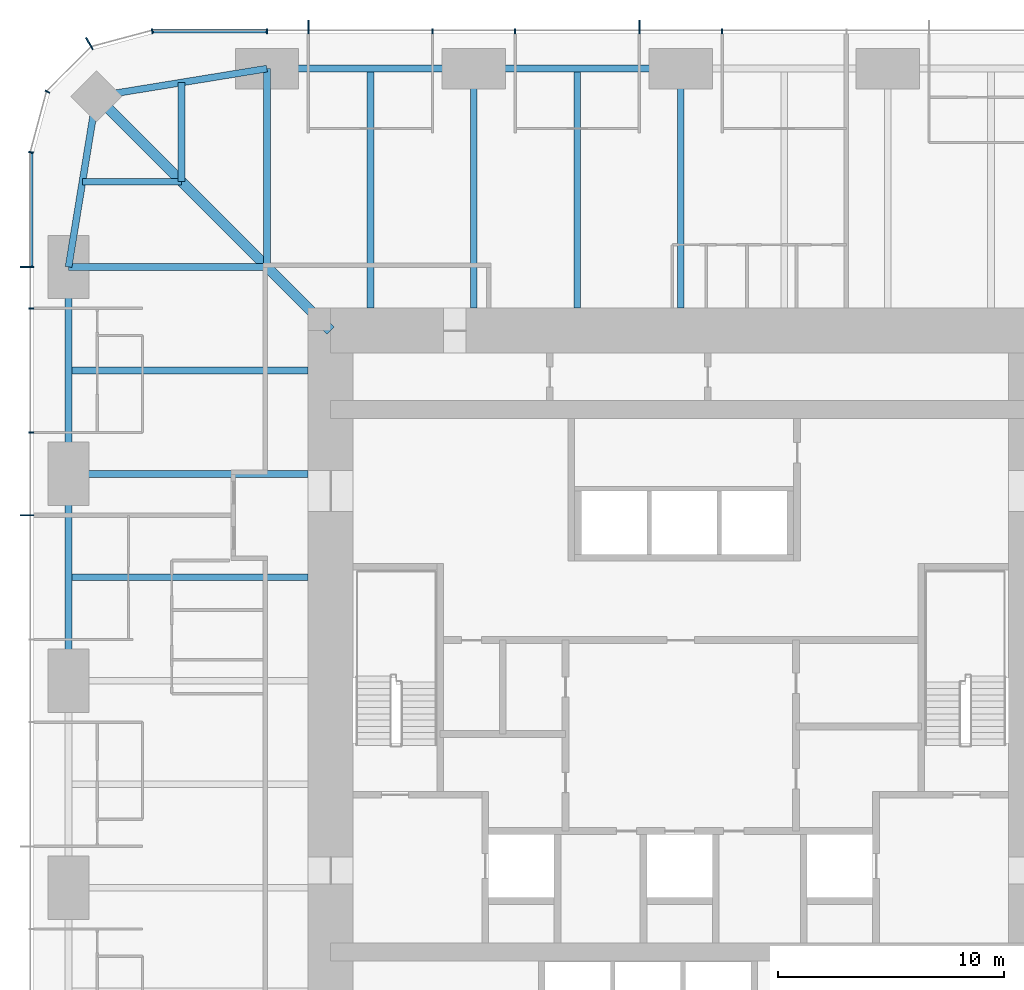
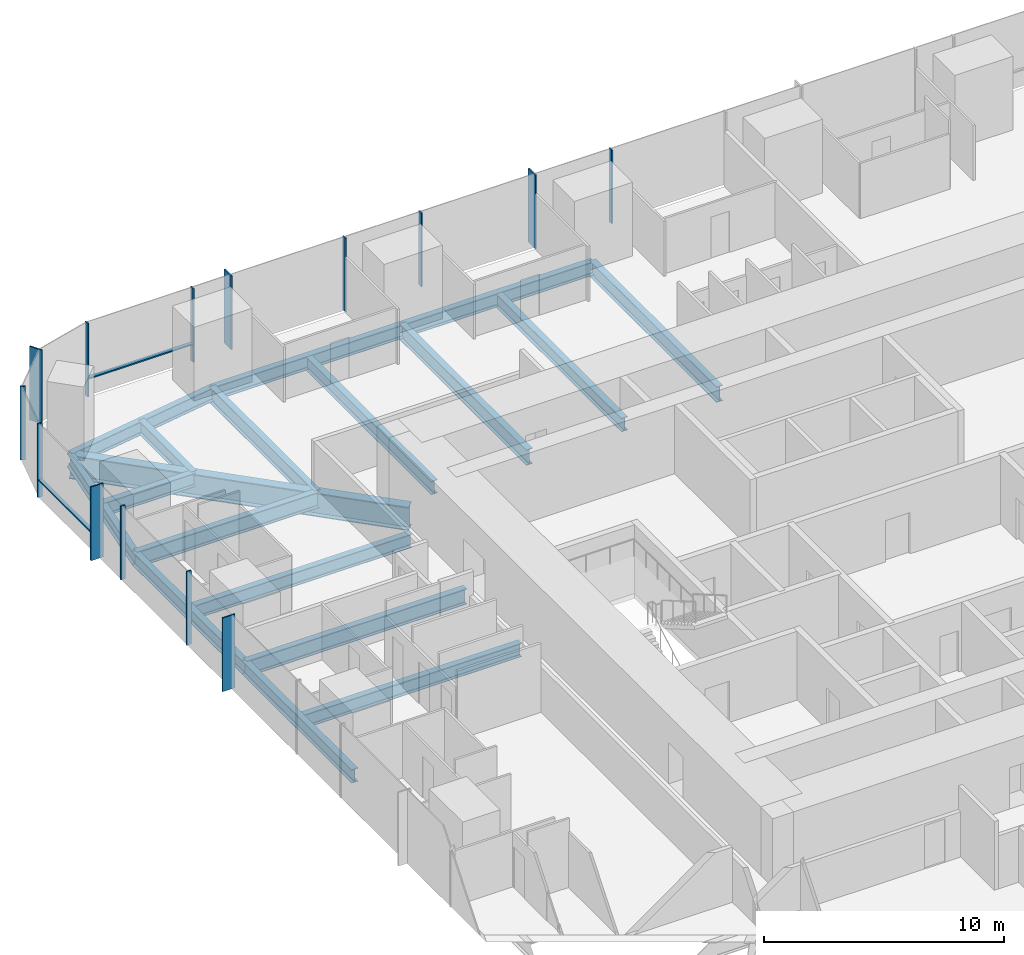
# One storey, part 5 of 13: 18 beams, 16 members, 3 elements without a shape of their own.
"""IFC4 building model written with IfcOpenShell, lengths in metres."""

from ifc_helpers import new_model, si_unit, direction, frame, origin, origin_2d, place, context, subcontext, project, spatial, rectangle, i_section, extrude, material, material_profile, profile_set, type_object, element, aggregate, save


model = new_model("IFC4")

# Units and contexts
model_context = context("Model", 3, precision=1e-05, world=origin(), true_north=direction((0.0, 1.0)))
body_context = subcontext(model_context, "Body", "Model", "MODEL_VIEW")
ifc_project = project(units=[si_unit("LENGTHUNIT", "METRE"), si_unit("AREAUNIT", "SQUARE_METRE"), si_unit("VOLUMEUNIT", "CUBIC_METRE"), si_unit("PLANEANGLEUNIT", "RADIAN"), si_unit("MASSUNIT", "GRAM", prefix="KILO")], contexts=[model_context])

# Site, building, storey
site_placement = place(None, origin())
site = spatial("IfcSite", under=ifc_project, at=site_placement, CompositionType="ELEMENT")
building_placement = place(site_placement, origin())
building = spatial("IfcBuilding", under=site, at=building_placement, Name="Khuree Lantern Residences", CompositionType="ELEMENT")
storey_placement = place(building_placement, frame((0.0, 0.0, 148.5)))
storey = spatial("IfcBuildingStorey", under=building, at=storey_placement, Name="L37", CompositionType="ELEMENT", Elevation=148.5)

# Beams
ifc_material_1 = material(Name="Steel S355", Category="steel")
ifc_material_profile_1 = material_profile(ifc_material_1, i_section(OverallWidth=0.300048828125, OverallDepth=0.68994140625, WebThickness=0.014404296875, FlangeThickness=0.027099609375, FilletRadius=0.027099609375, at=origin_2d()), Name="HE 700 A")
ifc_profile_set_1 = profile_set([ifc_material_profile_1], Name="Steel S355")
beam_type_1 = type_object("IfcBeamType", Name="B-23 SECONDARY BEAM HE 700 A", PredefinedType="BEAM", material=ifc_profile_set_1)
for number, where, z_axis, x_axis, name in (
    (1, (-13.739990234375, 27.10009765625, -0.594970703125), (0.0, -1.0, 0.0), (1.0, 0.0, 0.0), "Secondary beam N1"),
    (2, (-4.580078125, 27.10009765625, -0.594970703125), (0.0, -1.0, 0.0), (1.0, 0.0, 0.0), "Secondary beam N2"),
    (3, (-27.10009765625, 4.580078125, -0.594970703125), (1.0, 0.0, 0.0), (0.0, 1.0, 0.0), "Secondary beam W4"),
    (4, (-27.10009765625, 13.739990234375, -0.594970703125), (1.0, 0.0, 0.0), (0.0, 1.0, 0.0), "Secondary beam W5"),
):
    element("IfcBeam", number, at=place(storey_placement, frame(where, z_axis=z_axis, x_axis=x_axis)), inside=storey, type_object=beam_type_1, Name=name, PredefinedType="BEAM", context=body_context, shape_type="SweptSolid", body=[
        extrude(i_section(OverallWidth=0.300048828125, OverallDepth=0.68994140625, WebThickness=0.014404296875, FlangeThickness=0.027099609375, FilletRadius=0.027099609375, at=origin_2d()), origin(), (0.0, 0.0, 1.0), 10.60009765625),
    ])
for number, where, z_axis, x_axis, name in (
    (5, (-26.48486328125, 22.094970703125, -0.594970703125), (1.0, 0.0, 0.0), (0.0, 1.0, 0.0), "Secondary beam W6"),
    (6, (-22.094970703125, 26.48486328125, -0.594970703125), (0.0, -1.0, 0.0), (1.0, 0.0, 0.0), "Secondary beam N6"),
):
    element("IfcBeam", number, at=place(storey_placement, frame(where, z_axis=z_axis, x_axis=x_axis)), inside=storey, type_object=beam_type_1, Name=name, PredefinedType="BEAM", context=body_context, shape_type="SweptSolid", body=[
        extrude(i_section(OverallWidth=0.300048828125, OverallDepth=0.68994140625, WebThickness=0.014404296875, FlangeThickness=0.027099609375, FilletRadius=0.027099609375, at=origin_2d()), origin(), (0.0, 0.0, 1.0), 4.389892578125),
    ])
ifc_material_profile_2 = material_profile(ifc_material_1, i_section(OverallWidth=0.300048828125, OverallDepth=0.68994140625, WebThickness=0.014404296875, FlangeThickness=0.027099609375, FilletRadius=0.027099609375, at=origin_2d()), Name="HE 700 A")
ifc_profile_set_2 = profile_set([ifc_material_profile_2], Name="Steel S355")
beam_type_2 = type_object("IfcBeamType", Name="E-23 SPANDREL BEAM HE 700 A", PredefinedType="SPANDREL", material=ifc_profile_set_2)
beam_1_placement = place(storey_placement, frame((-18.320068359375, 27.10009765625, -0.594970703125), z_axis=(1.0, 0.0, 0.0), x_axis=(0.0, 1.0, 0.0)))
element("IfcBeam", 7, at=beam_1_placement, inside=storey, type_object=beam_type_2, Name="Spandrel beam N1", PredefinedType="SPANDREL", context=body_context, shape_type="SweptSolid", body=[
    extrude(i_section(OverallWidth=0.300048828125, OverallDepth=0.68994140625, WebThickness=0.014404296875, FlangeThickness=0.027099609375, FilletRadius=0.027099609375, at=origin_2d()), origin(), (0.0, 0.0, 1.0), 9.16015625),
])
for number, where, z_axis, x_axis, name in (
    (8, (-9.159912109375, 27.10009765625, -0.594970703125), (1.0, 0.0, 0.0), (0.0, 1.0, 0.0), "Spandrel beam N2"),
    (9, (-27.10009765625, 0.0, -0.594970703125), (0.0, 1.0, 0.0), (-1.0, 0.0, 0.0), "Spandrel beam W4"),
):
    element("IfcBeam", number, at=place(storey_placement, frame(where, z_axis=z_axis, x_axis=x_axis)), inside=storey, type_object=beam_type_2, Name=name, PredefinedType="SPANDREL", context=body_context, shape_type="SweptSolid", body=[
        extrude(i_section(OverallWidth=0.300048828125, OverallDepth=0.68994140625, WebThickness=0.014404296875, FlangeThickness=0.027099609375, FilletRadius=0.027099609375, at=origin_2d()), origin(), (0.0, 0.0, 1.0), 9.159912109375),
    ])
beam_2_placement = place(storey_placement, frame((-27.10009765625, 9.159912109375, -0.594970703125), z_axis=(0.0, 1.0, 0.0), x_axis=(-1.0, 0.0, 0.0)))
element("IfcBeam", 10, at=beam_2_placement, inside=storey, type_object=beam_type_2, Name="Spandrel beam W5", PredefinedType="SPANDREL", context=body_context, shape_type="SweptSolid", body=[
    extrude(i_section(OverallWidth=0.300048828125, OverallDepth=0.68994140625, WebThickness=0.014404296875, FlangeThickness=0.027099609375, FilletRadius=0.027099609375, at=origin_2d()), origin(), (0.0, 0.0, 1.0), 9.16015625),
])
for number, where, z_axis, x_axis, name in (
    (11, (-27.10009765625, 18.320068359375, -0.594970703125), (0.160826723833, 0.986982656839, 0.0), (-0.986982656839, 0.160826723833, 0.0), "Spandrel beam W6"),
    (12, (-25.869873046875, 25.869873046875, -0.594970703125), (0.986982656839, 0.160826723833, 0.0), (-0.160826723833, 0.986982656839, 0.0), "Spandrel beam N6"),
):
    element("IfcBeam", number, at=place(storey_placement, frame(where, z_axis=z_axis, x_axis=x_axis)), inside=storey, type_object=beam_type_2, Name=name, PredefinedType="SPANDREL", context=body_context, shape_type="SweptSolid", body=[
        extrude(i_section(OverallWidth=0.300048828125, OverallDepth=0.68994140625, WebThickness=0.014404296875, FlangeThickness=0.027099609375, FilletRadius=0.027099609375, at=origin_2d()), origin(), (0.0, 0.0, 1.0), 7.6494140625),
    ])

# Curtain wall, members
ifc_material_2 = material(Name="Bronze anodised aluminium", Category="aluminium")
curtain_wall_type_1 = type_object("IfcCurtainWallType", Name="CW-T1 TOWER FACE CURTAIN WALL", PredefinedType="USERDEFINED", material=ifc_material_2)
curtain_wall_1_placement = place(storey_placement, origin())
curtain_wall_1 = element("IfcCurtainWall", 13, at=curtain_wall_1_placement, inside=storey, type_object=curtain_wall_type_1, Name="L37 NORTH FACE CURTAIN WALL", ObjectType="Stick-built curtain wall", PredefinedType="USERDEFINED")
ifc_material_profile_3 = material_profile(ifc_material_2, rectangle(XDim=0.06494140625, YDim=0.60009765625, at=origin_2d()), Name="F1 65X600")
ifc_profile_set_3 = profile_set([ifc_material_profile_3], Name="Bronze anodised aluminium")
member_type_1 = type_object("IfcMemberType", Name="F1 BRONZE FIN MULLION TOWER 65X600", PredefinedType="MULLION", material=ifc_profile_set_3)
member_1_placement = place(storey_placement, frame((-1.83203125, 28.949951171875, 0.0), z_axis=(0.0, 0.0, 1.0), x_axis=(-1.0, 0.0, 0.0)))
member_1 = element("IfcMember", 14, at=member_1_placement, type_object=member_type_1, Name="L37 NORTH FACE FIN MULLION 24", PredefinedType="MULLION", context=body_context, shape_type="SweptSolid", body=[
    extrude(rectangle(XDim=0.06494140625, YDim=0.60009765625, at=origin_2d()), origin(), (0.0, 0.0, 1.0), 3.75),
])
member_2_placement = place(storey_placement, frame((-16.488037109375, 28.949951171875, 0.0), z_axis=(0.0, 0.0, 1.0), x_axis=(-1.0, 0.0, 0.0)))
member_2 = element("IfcMember", 15, at=member_2_placement, type_object=member_type_1, Name="L37 NORTH FACE FIN MULLION 27", PredefinedType="MULLION", context=body_context, shape_type="SweptSolid", body=[
    extrude(rectangle(XDim=0.06494140625, YDim=0.60009765625, at=origin_2d()), origin(), (0.0, 0.0, 1.0), 3.75),
])

# Curtain wall, member
curtain_wall_type_2 = type_object("IfcCurtainWallType", Name="CW-T2 TOWER CORNER CURTAIN WALL", PredefinedType="USERDEFINED", material=ifc_material_2)
curtain_wall_2_placement = place(storey_placement, origin())
curtain_wall_2 = element("IfcCurtainWall", 16, at=curtain_wall_2_placement, inside=storey, type_object=curtain_wall_type_2, Name="L37 NORTH-WEST CORNER CURTAIN WALL", ObjectType="Faceted corner curtain wall", PredefinedType="USERDEFINED")
member_3_placement = place(storey_placement, frame((-26.175048828125, 28.20654296875, 0.0), z_axis=(0.0, 0.0, 1.0), x_axis=(-0.866025388199, -0.500000026995, 0.0)))
member_3 = element("IfcMember", 17, at=member_3_placement, type_object=member_type_1, Name="L37 NORTH-WEST CORNER FIN MULLION 30", PredefinedType="MULLION", context=body_context, shape_type="SweptSolid", body=[
    extrude(rectangle(XDim=0.06494140625, YDim=0.60009765625, at=origin_2d()), origin(), (0.0, 0.0, 1.0), 3.75),
])

# Curtain wall, members
curtain_wall_3_placement = place(storey_placement, origin())
curtain_wall_3 = element("IfcCurtainWall", 18, at=curtain_wall_3_placement, inside=storey, type_object=curtain_wall_type_1, Name="L37 WEST FACE CURTAIN WALL", ObjectType="Stick-built curtain wall", PredefinedType="USERDEFINED")
member_4_placement = place(storey_placement, frame((-28.949951171875, 18.320068359375, 0.0), z_axis=(0.0, 0.0, 1.0), x_axis=(0.0, -1.0, 0.0)))
member_4 = element("IfcMember", 19, at=member_4_placement, type_object=member_type_1, Name="L37 WEST FACE FIN MULLION 33", PredefinedType="MULLION", context=body_context, shape_type="SweptSolid", body=[
    extrude(rectangle(XDim=0.06494140625, YDim=0.60009765625, at=origin_2d()), origin(), (0.0, 0.0, 1.0), 3.75),
])
member_5_placement = place(storey_placement, frame((-28.949951171875, 7.327880859375, 0.0), z_axis=(0.0, 0.0, 1.0), x_axis=(0.0, -1.0, 0.0)))
member_5 = element("IfcMember", 20, at=member_5_placement, type_object=member_type_1, Name="L37 WEST FACE FIN MULLION 36", PredefinedType="MULLION", context=body_context, shape_type="SweptSolid", body=[
    extrude(rectangle(XDim=0.06494140625, YDim=0.60009765625, at=origin_2d()), origin(), (0.0, 0.0, 1.0), 3.75),
])

# Beams
ifc_material_profile_4 = material_profile(ifc_material_1, i_section(OverallWidth=0.300048828125, OverallDepth=0.800048828125, WebThickness=0.017578125, FlangeThickness=0.032958984375, FilletRadius=0.030029296875, at=origin_2d()), Name="HE 800 B")
ifc_profile_set_4 = profile_set([ifc_material_profile_4], Name="Steel S355")
beam_type_3 = type_object("IfcBeamType", Name="G-23 GIRDER HE 800 B", PredefinedType="BEAM", material=ifc_profile_set_4)
beam_3_placement = place(storey_placement, frame((-18.320068359375, 27.10009765625, -0.64990234375), z_axis=(0.0, -1.0, 0.0), x_axis=(1.0, 0.0, 0.0)))
element("IfcBeam", 21, at=beam_3_placement, inside=storey, type_object=beam_type_3, Name="Girder N1", PredefinedType="BEAM", context=body_context, shape_type="SweptSolid", body=[
    extrude(i_section(OverallWidth=0.300048828125, OverallDepth=0.800048828125, WebThickness=0.017578125, FlangeThickness=0.032958984375, FilletRadius=0.030029296875, at=origin_2d()), origin(), (0.0, 0.0, 1.0), 8.780029296875),
])
for number, where, z_axis, x_axis, name in (
    (22, (-9.159912109375, 27.10009765625, -0.64990234375), (0.0, -1.0, 0.0), (1.0, 0.0, 0.0), "Girder N2"),
    (23, (0.0, 27.10009765625, -0.64990234375), (0.0, -1.0, 0.0), (1.0, 0.0, 0.0), "Girder N3"),
    (24, (-27.10009765625, 9.159912109375, -0.64990234375), (1.0, 0.0, 0.0), (0.0, 1.0, 0.0), "Girder W4"),
):
    element("IfcBeam", number, at=place(storey_placement, frame(where, z_axis=z_axis, x_axis=x_axis)), inside=storey, type_object=beam_type_3, Name=name, PredefinedType="BEAM", context=body_context, shape_type="SweptSolid", body=[
        extrude(i_section(OverallWidth=0.300048828125, OverallDepth=0.800048828125, WebThickness=0.017578125, FlangeThickness=0.032958984375, FilletRadius=0.030029296875, at=origin_2d()), origin(), (0.0, 0.0, 1.0), 10.60009765625),
    ])
beam_4_placement = place(storey_placement, frame((-27.10009765625, 18.320068359375, -0.64990234375), z_axis=(1.0, 0.0, 0.0), x_axis=(0.0, 1.0, 0.0)))
element("IfcBeam", 25, at=beam_4_placement, inside=storey, type_object=beam_type_3, Name="Girder W5", PredefinedType="BEAM", context=body_context, shape_type="SweptSolid", body=[
    extrude(i_section(OverallWidth=0.300048828125, OverallDepth=0.800048828125, WebThickness=0.017578125, FlangeThickness=0.032958984375, FilletRadius=0.030029296875, at=origin_2d()), origin(), (0.0, 0.0, 1.0), 8.780029296875),
])
ifc_material_profile_5 = material_profile(ifc_material_1, i_section(OverallWidth=0.449951171875, OverallDepth=1.199951171875, WebThickness=0.02490234375, FlangeThickness=0.044921875, at=origin_2d()), Name="WELDED I 1200X450X25X45")
ifc_profile_set_5 = profile_set([ifc_material_profile_5], Name="Steel S355")
beam_type_4 = type_object("IfcBeamType", Name="GD-23 CORNER GIRDER WELDED I 1200X450X25X45", PredefinedType="BEAM", material=ifc_profile_set_5)
beam_5_placement = place(storey_placement, frame((-25.869873046875, 25.869873046875, -0.85009765625), z_axis=(0.707106781187, -0.707106781187, 0.0), x_axis=(0.707106781187, 0.707106781187, 0.0)))
element("IfcBeam", 26, at=beam_5_placement, inside=storey, type_object=beam_type_4, Name="Corner girder NW", PredefinedType="BEAM", context=body_context, shape_type="SweptSolid", body=[
    extrude(i_section(OverallWidth=0.449951171875, OverallDepth=1.199951171875, WebThickness=0.02490234375, FlangeThickness=0.044921875, at=origin_2d()), origin(), (0.0, 0.0, 1.0), 14.665283203125),
])

# Member
ifc_material_profile_6 = material_profile(ifc_material_2, rectangle(XDim=0.06494140625, YDim=0.219970703125, at=origin_2d()), Name="M1 65X220")
ifc_profile_set_6 = profile_set([ifc_material_profile_6], Name="Bronze anodised aluminium")
member_type_2 = type_object("IfcMemberType", Name="M1 BRONZE MULLION TOWER 65X220", PredefinedType="MULLION", material=ifc_profile_set_6)
member_6_placement = place(storey_placement, frame((1.83203125, 28.760009765625, 0.0), z_axis=(0.0, 0.0, 1.0), x_axis=(-1.0, 0.0, 0.0)))
member_6 = element("IfcMember", 27, at=member_6_placement, type_object=member_type_2, Name="L37 NORTH FACE MULLION 23", PredefinedType="MULLION", context=body_context, shape_type="SweptSolid", body=[
    extrude(rectangle(XDim=0.06494140625, YDim=0.219970703125, at=origin_2d()), origin(), (0.0, 0.0, 1.0), 3.75),
])

member_7_placement = place(storey_placement, frame((-7.327880859375, 28.760009765625, 0.0), z_axis=(0.0, 0.0, 1.0), x_axis=(-1.0, 0.0, 0.0)))
member_7 = element("IfcMember", 28, at=member_7_placement, type_object=member_type_2, Name="L37 NORTH FACE MULLION 25", PredefinedType="MULLION", context=body_context, shape_type="SweptSolid", body=[
    extrude(rectangle(XDim=0.06494140625, YDim=0.219970703125, at=origin_2d()), origin(), (0.0, 0.0, 1.0), 3.75),
])

member_8_placement = place(storey_placement, frame((-10.991943359375, 28.760009765625, 0.0), z_axis=(0.0, 0.0, 1.0), x_axis=(-1.0, 0.0, 0.0)))
member_8 = element("IfcMember", 29, at=member_8_placement, type_object=member_type_2, Name="L37 NORTH FACE MULLION 26", PredefinedType="MULLION", context=body_context, shape_type="SweptSolid", body=[
    extrude(rectangle(XDim=0.06494140625, YDim=0.219970703125, at=origin_2d()), origin(), (0.0, 0.0, 1.0), 3.75),
])

member_9_placement = place(storey_placement, frame((-18.320068359375, 28.760009765625, 0.0), z_axis=(0.0, 0.0, 1.0), x_axis=(-1.0, 0.0, 0.0)))
member_9 = element("IfcMember", 30, at=member_9_placement, type_object=member_type_2, Name="L37 NORTH FACE MULLION 28", PredefinedType="MULLION", context=body_context, shape_type="SweptSolid", body=[
    extrude(rectangle(XDim=0.06494140625, YDim=0.219970703125, at=origin_2d()), origin(), (0.0, 0.0, 1.0), 3.75),
])

member_10_placement = place(storey_placement, frame((-23.39501953125, 28.76171875, 0.0), z_axis=(0.0, 0.0, 1.0), x_axis=(-0.991444857305, -0.130526223125, 0.0)))
member_10 = element("IfcMember", 31, at=member_10_placement, type_object=member_type_2, Name="L37 NORTH-WEST CORNER MULLION 29", PredefinedType="MULLION", context=body_context, shape_type="SweptSolid", body=[
    extrude(rectangle(XDim=0.06494140625, YDim=0.219970703125, at=origin_2d()), origin(), (0.0, 0.0, 1.0), 3.75),
])

member_11_placement = place(storey_placement, frame((-28.0419921875, 26.080078125, 0.0), z_axis=(0.0, 0.0, 1.0), x_axis=(-0.500000026995, -0.866025388199, 0.0)))
member_11 = element("IfcMember", 32, at=member_11_placement, type_object=member_type_2, Name="L37 NORTH-WEST CORNER MULLION 31", PredefinedType="MULLION", context=body_context, shape_type="SweptSolid", body=[
    extrude(rectangle(XDim=0.06494140625, YDim=0.219970703125, at=origin_2d()), origin(), (0.0, 0.0, 1.0), 3.75),
])

aggregate(curtain_wall_2, [member_10, member_3, member_11])

member_12_placement = place(storey_placement, frame((-28.76171875, 23.39501953125, 0.0), z_axis=(0.0, 0.0, 1.0), x_axis=(-0.130526223125, -0.991444857305, 0.0)))
member_12 = element("IfcMember", 33, at=member_12_placement, type_object=member_type_2, Name="L37 WEST FACE MULLION 32", PredefinedType="MULLION", context=body_context, shape_type="SweptSolid", body=[
    extrude(rectangle(XDim=0.06494140625, YDim=0.219970703125, at=origin_2d()), origin(), (0.0, 0.0, 1.0), 3.75),
])

member_13_placement = place(storey_placement, frame((-28.760009765625, 16.488037109375, 0.0), z_axis=(0.0, 0.0, 1.0), x_axis=(0.0, -1.0, 0.0)))
member_13 = element("IfcMember", 34, at=member_13_placement, type_object=member_type_2, Name="L37 WEST FACE MULLION 34", PredefinedType="MULLION", context=body_context, shape_type="SweptSolid", body=[
    extrude(rectangle(XDim=0.06494140625, YDim=0.219970703125, at=origin_2d()), origin(), (0.0, 0.0, 1.0), 3.75),
])

member_14_placement = place(storey_placement, frame((-28.760009765625, 10.991943359375, 0.0), z_axis=(0.0, 0.0, 1.0), x_axis=(0.0, -1.0, 0.0)))
member_14 = element("IfcMember", 35, at=member_14_placement, type_object=member_type_2, Name="L37 WEST FACE MULLION 35", PredefinedType="MULLION", context=body_context, shape_type="SweptSolid", body=[
    extrude(rectangle(XDim=0.06494140625, YDim=0.219970703125, at=origin_2d()), origin(), (0.0, 0.0, 1.0), 3.75),
])

ifc_material_profile_7 = material_profile(ifc_material_2, rectangle(XDim=0.179931640625, YDim=0.06494140625, at=origin_2d()), Name="T1 180X65")
ifc_profile_set_7 = profile_set([ifc_material_profile_7], Name="Bronze anodised aluminium")
member_type_3 = type_object("IfcMemberType", Name="TRANSOM T1 TOWER 180X65", PredefinedType="USERDEFINED", material=ifc_profile_set_7)
member_15_placement = place(storey_placement, frame((-18.3525390625, 28.77001953125, 0.89990234375), z_axis=(-1.0, 0.0, 0.0), x_axis=(0.0, -1.0, 0.0)))
member_15 = element("IfcMember", 36, at=member_15_placement, type_object=member_type_3, Name="L37 NORTH FACE TRANSOM 28.1", ObjectType="Transom", PredefinedType="USERDEFINED", context=body_context, shape_type="SweptSolid", body=[
    extrude(rectangle(XDim=0.179931640625, YDim=0.06494140625, at=origin_2d()), origin(), (0.0, 0.0, 1.0), 4.998779296875),
])

aggregate(curtain_wall_1, [member_6, member_1, member_7, member_8, member_2, member_9, member_15])

member_16_placement = place(storey_placement, frame((-28.77001953125, 23.351318359375, 0.89990234375), z_axis=(0.0, -1.0, 0.0), x_axis=(1.0, 0.0, 0.0)))
member_16 = element("IfcMember", 37, at=member_16_placement, type_object=member_type_3, Name="L37 WEST FACE TRANSOM 32.1", ObjectType="Transom", PredefinedType="USERDEFINED", context=body_context, shape_type="SweptSolid", body=[
    extrude(rectangle(XDim=0.179931640625, YDim=0.06494140625, at=origin_2d()), origin(), (0.0, 0.0, 1.0), 4.998779296875),
])

aggregate(curtain_wall_3, [member_12, member_4, member_13, member_14, member_5, member_16])

save(model, "model.ifc")
